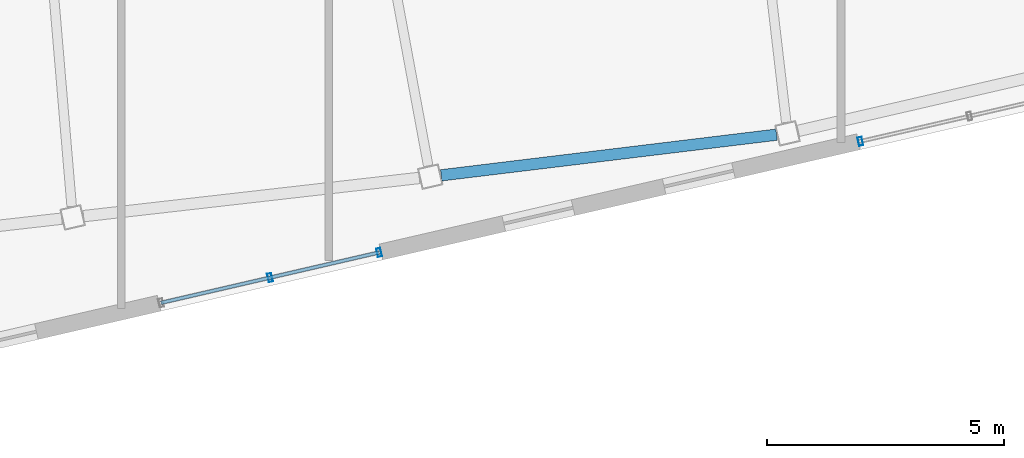
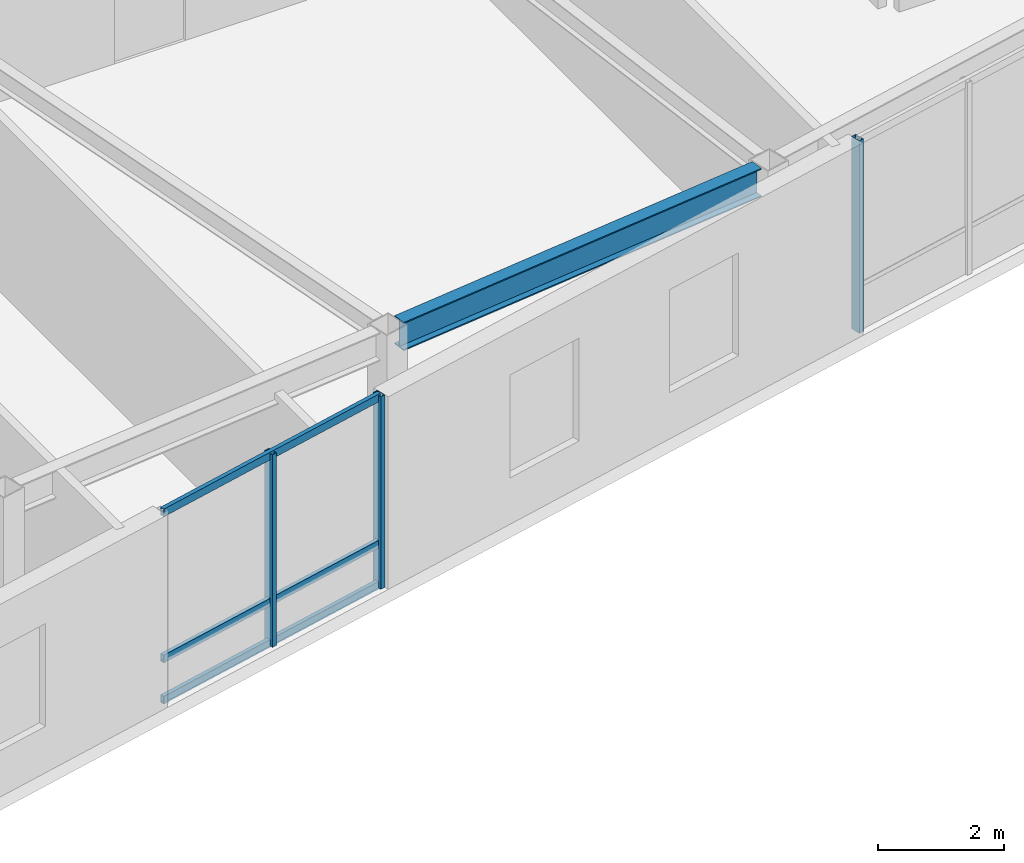
# One storey, part 7 of 23: 6 members, 1 beam, 2 elements without a shape of their own.
"""IFC4 building model written with IfcOpenShell, lengths in metres."""

from ifc_helpers import new_model, si_unit, direction, frame, origin, origin_2d, place, context, subcontext, project, spatial, hollow_rectangle, i_section, extrude, material, layer, layer_set, material_profile, profile_set, type_object, element, aggregate, save


model = new_model("IFC4")

# Units and contexts
model_context = context("Model", 3, precision=1e-05, world=origin(), true_north=direction((0.0, 1.0)))
body_context = subcontext(model_context, "Body", "Model", "MODEL_VIEW")
ifc_project = project(units=[si_unit("LENGTHUNIT", "METRE"), si_unit("AREAUNIT", "SQUARE_METRE"), si_unit("VOLUMEUNIT", "CUBIC_METRE"), si_unit("PLANEANGLEUNIT", "RADIAN"), si_unit("MASSUNIT", "GRAM", prefix="KILO")], contexts=[model_context])

# Site, building, storey
site_placement = place(None, origin())
site = spatial("IfcSite", under=ifc_project, at=site_placement, CompositionType="ELEMENT")
building_placement = place(site_placement, origin())
building = spatial("IfcBuilding", under=site, at=building_placement, Name="Tavrogorsk Clinical Tower", CompositionType="ELEMENT")
storey_placement = place(building_placement, frame((0.0, 0.0, 301.0)))
storey = spatial("IfcBuildingStorey", under=building, at=storey_placement, Name="L70", CompositionType="ELEMENT", Elevation=301.0)

# Curtain wall, members
ifc_material_1 = material(Name="Anodised aluminium and triple IGU glazing", Category="aluminium")
ifc_layer = layer(ifc_material_1, 0.179931640625)
ifc_layer_set = layer_set([ifc_layer], Name="Anodised aluminium and triple IGU glazing")
curtain_wall_type = type_object("IfcCurtainWallType", Name="CW3_SouthSlot", PredefinedType="NOTDEFINED", material=ifc_layer_set)
curtain_wall_1_placement = place(storey_placement, origin())
curtain_wall_1 = element("IfcCurtainWall", 1, at=curtain_wall_1_placement, inside=storey, type_object=curtain_wall_type, Name="L70 Curtain Wall CW-L70-S-SLOT-1", PredefinedType="NOTDEFINED")
ifc_material_2 = material(Name="Anodised aluminium alloy AW-6060", Category="aluminium")
ifc_material_profile_1 = material_profile(ifc_material_2, hollow_rectangle(XDim=0.090087890625, YDim=0.179931640625, WallThickness=0.00634765625, at=origin_2d()), Name="RHS-180x90x6.3")
ifc_profile_set_1 = profile_set([ifc_material_profile_1], Name="Anodised aluminium alloy AW-6060")
member_type_1 = type_object("IfcMemberType", Name="CwMullion_180x90", PredefinedType="MULLION", material=ifc_profile_set_1)
member_1_placement = place(storey_placement, frame((-4.633544921875, -25.438232421875, 0.0), z_axis=(0.0, 0.0, 1.0), x_axis=(0.974370057377, 0.224951086434, 0.0)))
member_1 = element("IfcMember", 2, at=member_1_placement, type_object=member_type_1, Name="CW-L70-S-SLOT-1 Mullion 2", PredefinedType="MULLION", context=body_context, shape_type="SweptSolid", body=[
    extrude(hollow_rectangle(XDim=0.090087890625, YDim=0.179931640625, WallThickness=0.00634765625, at=origin_2d()), origin(), (0.0, 0.0, 1.0), 3.739990234375),
])
member_2_placement = place(storey_placement, frame((-2.3349609375, -24.90771484375, 0.0), z_axis=(0.0, 0.0, 1.0), x_axis=(0.974370057377, 0.224951086434, 0.0)))
member_2 = element("IfcMember", 3, at=member_2_placement, type_object=member_type_1, Name="CW-L70-S-SLOT-1 Mullion 3", PredefinedType="MULLION", context=body_context, shape_type="SweptSolid", body=[
    extrude(hollow_rectangle(XDim=0.090087890625, YDim=0.179931640625, WallThickness=0.00634765625, at=origin_2d()), origin(), (0.0, 0.0, 1.0), 3.739990234375),
])

# Curtain wall, member
curtain_wall_2_placement = place(storey_placement, origin())
curtain_wall_2 = element("IfcCurtainWall", 4, at=curtain_wall_2_placement, inside=storey, type_object=curtain_wall_type, Name="L70 Curtain Wall CW-L70-S-SLOT-2", PredefinedType="NOTDEFINED")
member_3_placement = place(storey_placement, frame((7.80810546875, -22.56591796875, 0.0), z_axis=(0.0, 0.0, 1.0), x_axis=(0.974370057377, 0.224951086434, 0.0)))
member_3 = element("IfcMember", 5, at=member_3_placement, type_object=member_type_1, Name="CW-L70-S-SLOT-2 Mullion 1", PredefinedType="MULLION", context=body_context, shape_type="SweptSolid", body=[
    extrude(hollow_rectangle(XDim=0.090087890625, YDim=0.179931640625, WallThickness=0.00634765625, at=origin_2d()), origin(), (0.0, 0.0, 1.0), 3.739990234375),
])
aggregate(curtain_wall_2, [member_3])

# Member
ifc_material_3 = material(Name="Anodised aluminium alloy AW-6060", Category="aluminium")
ifc_material_profile_2 = material_profile(ifc_material_3, hollow_rectangle(XDim=0.074951171875, YDim=0.14990234375, WallThickness=0.0048828125, at=origin_2d()), Name="RHS-150x75x5")
ifc_profile_set_2 = profile_set([ifc_material_profile_2], Name="Anodised aluminium alloy AW-6060")
member_type_2 = type_object("IfcMemberType", Name="CwTransom_150x75", PredefinedType="USERDEFINED", material=ifc_profile_set_2)
member_4_placement = place(storey_placement, frame((-6.93212890625, -25.968994140625, 0.050048828125), z_axis=(0.974372877948, 0.22493886885, 0.0), x_axis=(-0.22493886885, 0.974372877948, 0.0)))
member_4 = element("IfcMember", 6, at=member_4_placement, type_object=member_type_2, Name="CW-L70-S-SLOT-1 Transom 1", ObjectType="TRANSOM", PredefinedType="USERDEFINED", context=body_context, shape_type="SweptSolid", body=[
    extrude(hollow_rectangle(XDim=0.074951171875, YDim=0.14990234375, WallThickness=0.0048828125, at=origin_2d()), origin(), (0.0, 0.0, 1.0), 4.718017578125),
])

member_5_placement = place(storey_placement, frame((-6.93212890625, -25.968994140625, 0.85009765625), z_axis=(0.974372877948, 0.22493886885, 0.0), x_axis=(-0.22493886885, 0.974372877948, 0.0)))
member_5 = element("IfcMember", 7, at=member_5_placement, type_object=member_type_2, Name="CW-L70-S-SLOT-1 Transom 2", ObjectType="TRANSOM", PredefinedType="USERDEFINED", context=body_context, shape_type="SweptSolid", body=[
    extrude(hollow_rectangle(XDim=0.074951171875, YDim=0.14990234375, WallThickness=0.0048828125, at=origin_2d()), origin(), (0.0, 0.0, 1.0), 4.718017578125),
])

member_6_placement = place(storey_placement, frame((-6.93212890625, -25.968994140625, 3.68994140625), z_axis=(0.974372877948, 0.22493886885, 0.0), x_axis=(-0.22493886885, 0.974372877948, 0.0)))
member_6 = element("IfcMember", 8, at=member_6_placement, type_object=member_type_2, Name="CW-L70-S-SLOT-1 Transom 3", ObjectType="TRANSOM", PredefinedType="USERDEFINED", context=body_context, shape_type="SweptSolid", body=[
    extrude(hollow_rectangle(XDim=0.074951171875, YDim=0.14990234375, WallThickness=0.0048828125, at=origin_2d()), origin(), (0.0, 0.0, 1.0), 4.718017578125),
])

aggregate(curtain_wall_1, [member_1, member_2, member_4, member_5, member_6])

# Beam
ifc_material_4 = material(Name="Structural steel S390", Category="steel")
ifc_material_profile_3 = material_profile(ifc_material_4, i_section(OverallWidth=0.239990234375, OverallDepth=0.550048828125, WebThickness=0.013916015625, FlangeThickness=0.02197265625, at=origin_2d()), Name="B-550x240x14x22")
ifc_profile_set_3 = profile_set([ifc_material_profile_3], Name="Structural steel S390")
beam_type = type_object("IfcBeamType", Name="SpandrelBeam_B550", PredefinedType="SPANDREL", material=ifc_profile_set_3)
beam_placement = place(storey_placement, frame((-1.026123046875, -23.28173828125, 3.465087890625), z_axis=(0.992733657897, 0.120332391639, 0.0), x_axis=(-0.120332391639, 0.992733657897, 0.0)))
element("IfcBeam", 9, at=beam_placement, inside=storey, type_object=beam_type, Name="L70 Perimeter Spandrel S4-S5", PredefinedType="SPANDREL", context=body_context, shape_type="SweptSolid", body=[
    extrude(i_section(OverallWidth=0.239990234375, OverallDepth=0.550048828125, WebThickness=0.013916015625, FlangeThickness=0.02197265625, at=origin_2d()), origin(), (0.0, 0.0, 1.0), 7.119384765625),
])

save(model, "model.ifc")
